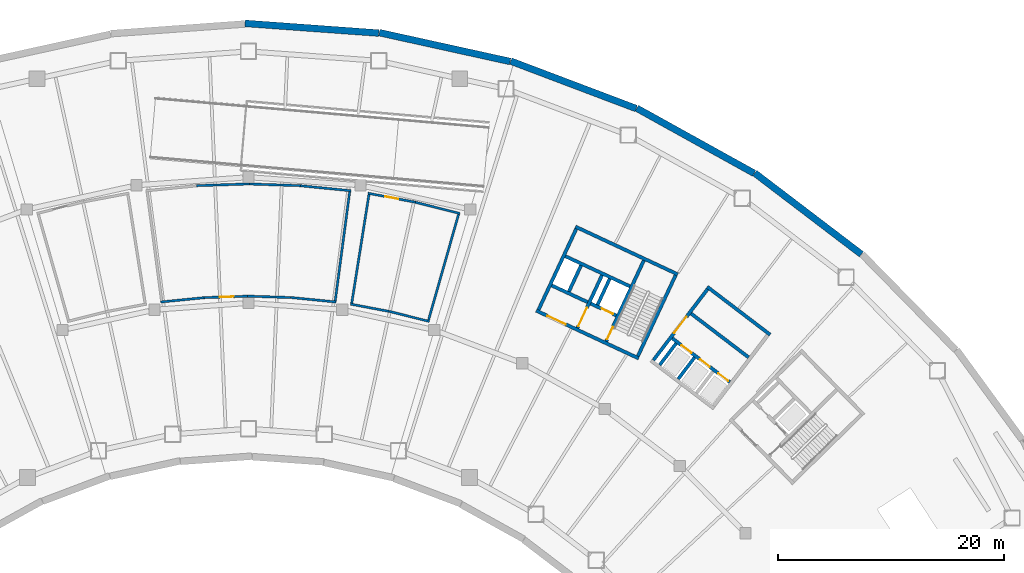
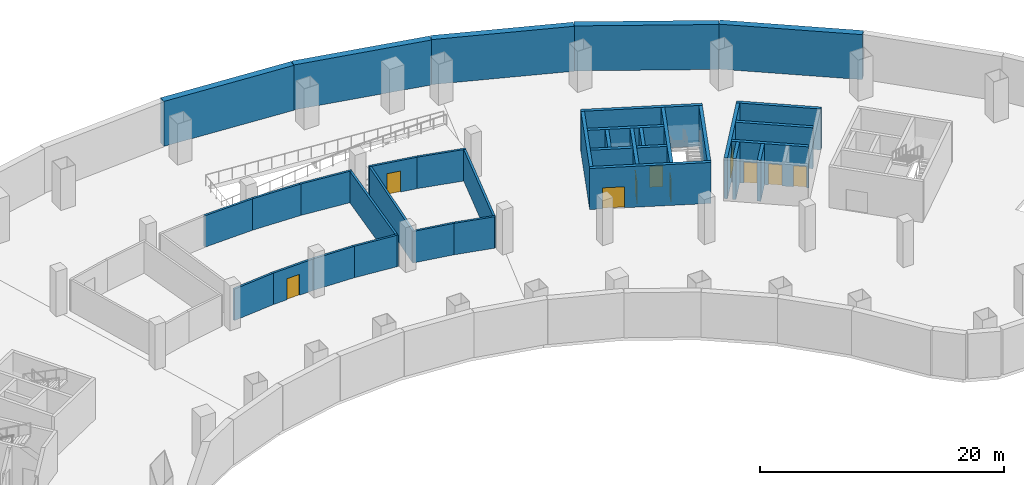
# One storey, part 7 of 11: 36 walls, 10 doors, 10 openings.
"""IFC4 building model written with IfcOpenShell, lengths in metres."""

import ifcopenshell
import ifcopenshell.guid

model = None  # the IFC model being written
_history = None  # IfcOwnerHistory: only IFC2X3 demands one
_inside = {}  # id of a spatial element -> (the spatial element, [elements in it])
_under = {}  # id of a project, library or spatial element -> (it, [spatial elements below it])
_declared = {}  # id of a project -> (the project, [libraries it declares])
_typed = {}  # id of a type object -> (the type object, [elements of that type])
_made_of = {}  # id of a material, layer set ... -> (it, [elements and type objects made of it])


def new_model(schema):
    """Start an empty IFC model of exactly this schema.

    Asked for "IFC4X3", IfcOpenShell would pick the latest addendum, in which some entities
    have other attributes; the version numbers below select the first issue.
    IFC2X3 requires an IfcOwnerHistory on every rooted entity: one is made here for all.
    """
    global model, _history
    if schema == "IFC4X3":
        model = ifcopenshell.file(schema_version=(4, 3, 0, 0))
    else:
        model = ifcopenshell.file(schema=schema)
    _inside.clear()
    _under.clear()
    _declared.clear()
    _typed.clear()
    _made_of.clear()
    _history = None
    if model.schema == "IFC2X3":
        org = make("IfcOrganization", Name="unknown")
        user = make(
            "IfcPersonAndOrganization",
            ThePerson=make("IfcPerson", FamilyName="unknown"),
            TheOrganization=org,
        )
        app = make(
            "IfcApplication",
            ApplicationDeveloper=org,
            Version="unknown",
            ApplicationFullName="unknown",
            ApplicationIdentifier="unknown",
        )
        _history = make(
            "IfcOwnerHistory",
            OwningUser=user,
            OwningApplication=app,
            ChangeAction="ADDED",
            CreationDate=0,
        )
    return model


def make(cls, **values):
    """One entity of the class cls with the attributes given. An attribute that is None is left unset."""
    return model.create_entity(
        cls, **{name: value for name, value in values.items() if value is not None}
    )


def rooted(cls, **values):
    """An entity with a GlobalId (a new one), such as an element, a storey or a relation."""
    return make(cls, GlobalId=ifcopenshell.guid.new(), OwnerHistory=_history, **values)


def si_unit(unit_type, name, prefix=None):
    """IfcSIUnit, for example si_unit("LENGTHUNIT", "METRE", prefix="MILLI")."""
    return make("IfcSIUnit", UnitType=unit_type, Prefix=prefix, Name=name)


def assignment(units):
    """IfcUnitAssignment: the units of a project."""
    return None if units is None else make("IfcUnitAssignment", Units=units)


def point(xyz):
    """IfcCartesianPoint."""
    return None if xyz is None else make("IfcCartesianPoint", Coordinates=xyz)


def direction(xyz):
    """IfcDirection."""
    return None if xyz is None else make("IfcDirection", DirectionRatios=xyz)


def frame(location, z_axis=None, x_axis=None):
    """IfcAxis2Placement3D, a coordinate frame: its origin and axes. An axis left out is left unset."""
    return make(
        "IfcAxis2Placement3D",
        Location=point(location),
        Axis=direction(z_axis),
        RefDirection=direction(x_axis),
    )


def frame_2d(location, x_axis=None):
    """IfcAxis2Placement2D, a coordinate frame in the plane: its origin and x axis."""
    return make(
        "IfcAxis2Placement2D", Location=point(location), RefDirection=direction(x_axis)
    )


def origin():
    """The frame at (0, 0, 0) with its axes left unset."""
    return frame((0.0, 0.0, 0.0))


def place(relative_to, where):
    """IfcLocalPlacement: puts the frame where relative to a parent placement (None: the world)."""
    return make(
        "IfcLocalPlacement", PlacementRelTo=relative_to, RelativePlacement=where
    )


def context(
    kind, dimensions, precision=None, world=None, true_north=None, identifier=None
):
    """IfcGeometricRepresentationContext, for example the 3D "Model" context."""
    return make(
        "IfcGeometricRepresentationContext",
        ContextIdentifier=identifier,
        ContextType=kind,
        CoordinateSpaceDimension=dimensions,
        Precision=precision,
        WorldCoordinateSystem=world,
        TrueNorth=true_north,
    )


def subcontext(parent, identifier, kind, view, scale=None):
    """IfcGeometricRepresentationSubContext, for example "Body" below "Model"."""
    return make(
        "IfcGeometricRepresentationSubContext",
        ContextIdentifier=identifier,
        ContextType=kind,
        ParentContext=parent,
        TargetScale=scale,
        TargetView=view,
    )


def project(units=None, contexts=None):
    """IfcProject with its units and contexts."""
    return rooted(
        "IfcProject",
        Name="project",
        RepresentationContexts=contexts,
        UnitsInContext=assignment(units),
    )


def spatial(cls, under=None, at=None, **own):
    """A site, building, storey or space (cls), placed at a placement, below another one or the project."""
    s = rooted(cls, ObjectPlacement=at, **own)
    if under is not None:
        _under.setdefault(under.id(), (under, []))[1].append(s)
    return s


def profile(cls, at=None, kind="AREA", **sizes):
    """A parametric profile (cls). Its sizes go by their IFC names, for example OverallWidth=200.0."""
    return make(cls, ProfileType=kind, Position=at, **sizes)


def rectangle(**sizes):
    """IfcRectangleProfileDef."""
    return profile("IfcRectangleProfileDef", **sizes)


def extrude(swept, where, along, depth):
    """IfcExtrudedAreaSolid: the profile swept, set in the frame where, extruded along a direction by depth."""
    return make(
        "IfcExtrudedAreaSolid",
        SweptArea=swept,
        Position=where,
        ExtrudedDirection=direction(along),
        Depth=depth,
    )


def shape(context_of_items, identifier, shape_type, items):
    """IfcShapeRepresentation: the items that make up one representation, for example the "Body"."""
    return make(
        "IfcShapeRepresentation",
        ContextOfItems=context_of_items,
        RepresentationIdentifier=identifier,
        RepresentationType=shape_type,
        Items=items,
    )


def material(Name=None, Category=None):
    """IfcMaterial."""
    return make("IfcMaterial", Name=Name, Category=Category)


def layer(
    of_material, thickness, ventilated=None, Name=None, Category=None, Priority=None
):
    """IfcMaterialLayer: one layer of a wall or slab, of a material (None: an air gap)."""
    return make(
        "IfcMaterialLayer",
        Material=of_material,
        LayerThickness=thickness,
        IsVentilated=ventilated,
        Name=Name,
        Category=Category,
        Priority=Priority,
    )


def layer_set(layers, Name=None):
    """IfcMaterialLayerSet."""
    return make("IfcMaterialLayerSet", MaterialLayers=layers, LayerSetName=Name)


def made_of(thing, what):
    """Note that an element or type object is made of a material, layer set ...; save() writes the relation."""
    if what is not None:
        _made_of.setdefault(what.id(), (what, []))[1].append(thing)
    return thing


def type_object(cls, material=None, **own):
    """A type object (cls), such as IfcWallType, which elements share."""
    return made_of(rooted(cls, **own), material)


def element(
    cls,
    number,
    at=None,
    inside=None,
    cuts=None,
    type_object=None,
    material=None,
    context=None,
    identifier="Body",
    shape_type=None,
    held_by="IfcProductDefinitionShape",
    body=None,
    shapes=None,
    **own,
):
    """One element of the class cls, such as IfcWall. Its Tag is "e" and its number.

    at: its placement. inside: the storey or other place that contains it. cuts: it is an
    opening in that element (IfcRelVoidsElement). A single representation is given by context,
    identifier, shape_type and body (its items); several are given by shapes. held_by: the class
    of the entity that holds the representations. save() writes the other relations.
    """
    e = rooted(cls, Tag="e%d" % number, ObjectPlacement=at, **own)
    if body is not None:
        shapes = [shape(context, identifier, shape_type, body)]
    if shapes is not None:
        e.Representation = make(held_by, Representations=shapes)
    if inside is not None:
        _inside.setdefault(inside.id(), (inside, []))[1].append(e)
    if cuts is not None:
        rooted(
            "IfcRelVoidsElement", RelatingBuildingElement=cuts, RelatedOpeningElement=e
        )
    if type_object is not None:
        _typed.setdefault(type_object.id(), (type_object, []))[1].append(e)
    return made_of(e, material)


def fill(opening, filler):
    """IfcRelFillsElement: the door or window that sits in an opening."""
    return rooted(
        "IfcRelFillsElement",
        RelatingOpeningElement=opening,
        RelatedBuildingElement=filler,
    )


def aggregate(whole, parts):
    """IfcRelAggregates: a whole, such as a stair, and the parts it consists of."""
    return rooted("IfcRelAggregates", RelatingObject=whole, RelatedObjects=parts)


def save(model, path):
    """Write the relations noted so far, then the file.

    IfcRelAggregates (storeys below a building ...), IfcRelContainedInSpatialStructure (elements
    in a storey), IfcRelDefinesByType, IfcRelAssociatesMaterial and IfcRelDeclares: one each for
    every whole, place, type object, material and project.
    """
    for whole, parts in _under.values():
        aggregate(whole, parts)
    for where, things in _inside.values():
        rooted(
            "IfcRelContainedInSpatialStructure",
            RelatedElements=things,
            RelatingStructure=where,
        )
    for kind, things in _typed.values():
        rooted("IfcRelDefinesByType", RelatedObjects=things, RelatingType=kind)
    for what, things in _made_of.values():
        rooted("IfcRelAssociatesMaterial", RelatedObjects=things, RelatingMaterial=what)
    for by, libraries in _declared.values():
        rooted("IfcRelDeclares", RelatingContext=by, RelatedDefinitions=libraries)
    model.write(path)


model = new_model("IFC4")

# Units and contexts
model_context = context("Model", 3, precision=1e-05, world=origin(), true_north=direction((0.0, 1.0)))
body_context = subcontext(model_context, "Body", "Model", "MODEL_VIEW")
ifc_project = project(units=[si_unit("LENGTHUNIT", "METRE"), si_unit("AREAUNIT", "SQUARE_METRE"), si_unit("VOLUMEUNIT", "CUBIC_METRE"), si_unit("PLANEANGLEUNIT", "RADIAN"), si_unit("MASSUNIT", "GRAM", prefix="KILO")], contexts=[model_context])

# Site, building, storey
site_placement = place(None, origin())
site = spatial("IfcSite", under=ifc_project, at=site_placement, CompositionType="ELEMENT")
building_placement = place(site_placement, origin())
building = spatial("IfcBuilding", under=site, at=building_placement, Name="Tuul Gate Civic Tower", CompositionType="ELEMENT")
storey_placement = place(building_placement, frame((0.0, 0.0, -4.5)))
storey = spatial("IfcBuildingStorey", under=building, at=storey_placement, Name="Basement 1", CompositionType="ELEMENT", Elevation=-4.5)

# Walls
ifc_material_1 = material(Name="Concrete block", Category="concrete")
ifc_layer_1 = layer(ifc_material_1, 0.199951171875)
ifc_layer_set_1 = layer_set([ifc_layer_1], Name="Concrete block")
wall_type_1 = type_object("IfcWallType", Name="Basement room wall EI 60", PredefinedType="PARTITIONING", material=ifc_layer_set_1)
for number, where, z_axis, x_axis, name in (
    (1, (-4.595458984375, 8.033447265625, 0.0), (0.0, 0.0, 1.0), (0.999455354855, 0.032999903823, 0.0), "Room wall"),
    (2, (-0.099853515625, 8.1884765625, 0.0), (0.0, 0.0, 1.0), (0.999455354855, -0.032999903823, 0.0), "Room wall"),
):
    element("IfcWall", number, at=place(storey_placement, frame(where, z_axis=z_axis, x_axis=x_axis)), inside=storey, type_object=wall_type_1, Name=name, PredefinedType="PARTITIONING", context=body_context, shape_type="SweptSolid", body=[
        extrude(rectangle(XDim=4.69775390625, YDim=0.199951171875, at=frame_2d((2.348876953125, 0.0))), origin(), (0.0, 0.0, 1.0), 3.14990234375),
    ])
wall_1_placement = place(storey_placement, frame((4.39599609375, 8.046630859375, 0.0), z_axis=(0.0, 0.0, 1.0), x_axis=(0.995108451583, -0.098788509398, 0.0)))
element("IfcWall", 3, at=wall_1_placement, inside=storey, type_object=wall_type_1, Name="Room wall", PredefinedType="PARTITIONING", context=body_context, shape_type="SweptSolid", body=[
    extrude(rectangle(XDim=4.697998046875, YDim=0.199951171875, at=frame_2d((2.34912109375, 0.0))), origin(), (0.0, 0.0, 1.0), 3.14990234375),
])
wall_2_placement = place(storey_placement, frame((8.984619140625, 7.69140625, 0.0), z_axis=(0.0, 0.0, 1.0), x_axis=(-0.131557421539, -0.991308551783, 0.0)))
element("IfcWall", 4, at=wall_2_placement, inside=storey, type_object=wall_type_1, Name="Room wall", PredefinedType="PARTITIONING", context=body_context, shape_type="SweptSolid", body=[
    extrude(rectangle(XDim=10.12890625, YDim=0.199951171875, at=frame_2d((5.064453125, 0.0))), origin(), (0.0, 0.0, 1.0), 3.14990234375),
])
for number, where, z_axis, x_axis, name in (
    (5, (7.7646484375, -2.260009765625, 0.0), (0.0, 0.0, 1.0), (-0.995108084218, 0.09879220983, 0.0), "Room wall"),
    (6, (3.94091796875, -1.873779296875, 0.0), (0.0, 0.0, 1.0), (-0.999456308533, 0.032971007459, 0.0), "Room wall"),
):
    element("IfcWall", number, at=place(storey_placement, frame(where, z_axis=z_axis, x_axis=x_axis)), inside=storey, type_object=wall_type_1, Name=name, PredefinedType="PARTITIONING", context=body_context, shape_type="SweptSolid", body=[
        extrude(rectangle(XDim=4.04296875, YDim=0.199951171875, at=frame_2d((2.021484375, 0.0))), origin(), (0.0, 0.0, 1.0), 3.14990234375),
    ])

# Wall, opening, door
wall_3_placement = place(storey_placement, frame((0.099853515625, -1.740478515625, 0.0), z_axis=(0.0, 0.0, 1.0), x_axis=(-0.999456308533, -0.032971007459, 0.0)))
wall_3 = element("IfcWall", 7, at=wall_3_placement, inside=storey, type_object=wall_type_1, Name="Room wall", PredefinedType="PARTITIONING", context=body_context, shape_type="SweptSolid", body=[
    extrude(rectangle(XDim=4.04296875, YDim=0.199951171875, at=frame_2d((2.021484375, 0.0))), origin(), (0.0, 0.0, 1.0), 3.14990234375),
])
opening_1_placement = place(wall_3_placement, frame((1.421630859375, 0.0, 0.0)))
opening_1 = element("IfcOpeningElement", 8, at=opening_1_placement, cuts=wall_3, Name="Opening PD", PredefinedType="OPENING", context=body_context, shape_type="SweptSolid", body=[
    extrude(rectangle(XDim=1.199951171875, YDim=2.10009765625, at=frame_2d((0.60009765625, 1.050048828125))), frame((0.0, 0.10986328125, 0.0), z_axis=(0.0, -1.0, 0.0), x_axis=(1.0, 0.0, 0.0)), (0.0, 0.0, 1.0), 0.219970703125),
])
ifc_material_2 = material(Name="Steel door", Category="steel")
door_type_1 = type_object("IfcDoorType", Name="Plant room door", OperationType="DOUBLE_DOOR_SINGLE_SWING", PredefinedType="DOOR", material=ifc_material_2)
door_1_placement = place(opening_1_placement, origin())
door_1 = element("IfcDoor", 9, at=door_1_placement, inside=storey, type_object=door_type_1, Name="Door", OperationType="DOUBLE_DOOR_SINGLE_SWING", OverallHeight=2.10009765625, OverallWidth=1.199951171875, PredefinedType="DOOR", context=body_context, shape_type="SweptSolid", body=[
    extrude(rectangle(XDim=1.199951171875, YDim=2.10009765625, at=frame_2d((0.60009765625, 1.050048828125))), frame((0.0, 0.02490234375, 0.0), z_axis=(0.0, -1.0, 0.0), x_axis=(1.0, 0.0, 0.0)), (0.0, 0.0, 1.0), 0.050048828125),
])
fill(opening_1, door_1)

# Wall
wall_4_placement = place(storey_placement, frame((-3.741455078125, -1.860595703125, 0.0), z_axis=(0.0, 0.0, 1.0), x_axis=(-0.995108084218, -0.09879220983, 0.0)))
element("IfcWall", 10, at=wall_4_placement, inside=storey, type_object=wall_type_1, Name="Room wall", PredefinedType="PARTITIONING", context=body_context, shape_type="SweptSolid", body=[
    extrude(rectangle(XDim=4.04296875, YDim=0.199951171875, at=frame_2d((2.021484375, 0.0))), origin(), (0.0, 0.0, 1.0), 3.14990234375),
])

# Wall, opening, door
wall_5_placement = place(storey_placement, frame((10.580810546875, 7.3623046875, 0.0), z_axis=(0.0, 0.0, 1.0), x_axis=(0.982546793853, -0.18601558507, 0.0)))
wall_5 = element("IfcWall", 11, at=wall_5_placement, inside=storey, type_object=wall_type_1, Name="Room wall", PredefinedType="PARTITIONING", context=body_context, shape_type="SweptSolid", body=[
    extrude(rectangle(XDim=4.266845703125, YDim=0.199951171875, at=frame_2d((2.13330078125, 0.0))), origin(), (0.0, 0.0, 1.0), 3.14990234375),
])
opening_2_placement = place(wall_5_placement, frame((1.533447265625, 0.0, 0.0)))
opening_2 = element("IfcOpeningElement", 12, at=opening_2_placement, cuts=wall_5, Name="Opening PD", PredefinedType="OPENING", context=body_context, shape_type="SweptSolid", body=[
    extrude(rectangle(XDim=1.199951171875, YDim=2.10009765625, at=frame_2d((0.60009765625, 1.050048828125))), frame((0.0, 0.10986328125, 0.0), z_axis=(0.0, -1.0, 0.0), x_axis=(1.0, 0.0, 0.0)), (0.0, 0.0, 1.0), 0.219970703125),
])
door_2_placement = place(opening_2_placement, origin())
door_2 = element("IfcDoor", 13, at=door_2_placement, inside=storey, type_object=door_type_1, Name="Door", OperationType="DOUBLE_DOOR_SINGLE_SWING", OverallHeight=2.10009765625, OverallWidth=1.199951171875, PredefinedType="DOOR", context=body_context, shape_type="SweptSolid", body=[
    extrude(rectangle(XDim=1.199951171875, YDim=2.10009765625, at=frame_2d((0.60009765625, 1.050048828125))), frame((0.0, 0.02490234375, 0.0), z_axis=(0.0, -1.0, 0.0), x_axis=(1.0, 0.0, 0.0)), (0.0, 0.0, 1.0), 0.050048828125),
])
fill(opening_2, door_2)

# Walls
wall_6_placement = place(storey_placement, frame((14.578125, 6.61181640625, 0.0), z_axis=(0.0, 0.0, 1.0), x_axis=(0.969706746941, -0.244272030607, 0.0)))
element("IfcWall", 14, at=wall_6_placement, inside=storey, type_object=wall_type_1, Name="Room wall", PredefinedType="PARTITIONING", context=body_context, shape_type="SweptSolid", body=[
    extrude(rectangle(XDim=4.2666015625, YDim=0.199951171875, at=frame_2d((2.13330078125, 0.0))), origin(), (0.0, 0.0, 1.0), 3.14990234375),
])
wall_7_placement = place(storey_placement, frame((18.64599609375, 5.690185546875, 0.0), z_axis=(0.0, 0.0, 1.0), x_axis=(-0.273062164325, -0.961996390021, 0.0)))
element("IfcWall", 15, at=wall_7_placement, inside=storey, type_object=wall_type_1, Name="Room wall", PredefinedType="PARTITIONING", context=body_context, shape_type="SweptSolid", body=[
    extrude(rectangle(XDim=10.129150390625, YDim=0.199951171875, at=frame_2d((5.064453125, 0.0))), origin(), (0.0, 0.0, 1.0), 3.14990234375),
])
for number, where, z_axis, x_axis, name in (
    (16, (16.00439453125, -3.982177734375, 0.0), (0.0, 0.0, 1.0), (-0.969699257813, 0.244301758889, 0.0), "Room wall"),
    (17, (12.63623046875, -3.127685546875, 0.0), (0.0, 0.0, 1.0), (-0.982542683543, 0.186037294693, 0.0), "Room wall"),
):
    element("IfcWall", number, at=place(storey_placement, frame(where, z_axis=z_axis, x_axis=x_axis)), inside=storey, type_object=wall_type_1, Name=name, PredefinedType="PARTITIONING", context=body_context, shape_type="SweptSolid", body=[
        extrude(rectangle(XDim=3.674560546875, YDim=0.199951171875, at=frame_2d((1.83740234375, 0.0))), origin(), (0.0, 0.0, 1.0), 3.14990234375),
    ])
wall_8_placement = place(storey_placement, frame((9.1083984375, -2.5615234375, 0.0), z_axis=(0.0, 0.0, 1.0), x_axis=(0.156623491175, 0.987658383254, 0.0)))
element("IfcWall", 18, at=wall_8_placement, inside=storey, type_object=wall_type_1, Name="Room wall", PredefinedType="PARTITIONING", context=body_context, shape_type="SweptSolid", body=[
    extrude(rectangle(XDim=10.12890625, YDim=0.199951171875, at=frame_2d((5.064453125, 0.0))), origin(), (0.0, 0.0, 1.0), 3.14990234375),
])

# Wall, opening, door
ifc_material_3 = material(Name="Concrete C50/60", Category="concrete")
ifc_layer_2 = layer(ifc_material_3, 0.300048828125)
ifc_layer_set_2 = layer_set([ifc_layer_2], Name="Concrete C50/60")
wall_type_2 = type_object("IfcWallType", Name="Core wall C50/60", PredefinedType="SHEAR", material=ifc_layer_set_2)
wall_9_placement = place(storey_placement, frame((34.5283203125, -7.25, 0.0), z_axis=(0.0, 0.0, 1.0), x_axis=(-0.906310338845, 0.422612789327, 0.0)))
wall_9 = element("IfcWall", 19, at=wall_9_placement, inside=storey, type_object=wall_type_2, Name="Core wall", PredefinedType="SHEAR", context=body_context, shape_type="SweptSolid", body=[
    extrude(rectangle(XDim=9.999755859375, YDim=0.300048828125, at=frame_2d((5.0, 0.0))), origin(), (0.0, 0.0, 1.0), 4.10009765625),
])
opening_3_placement = place(wall_9_placement, frame((7.125, 0.0, 0.0)))
opening_3 = element("IfcOpeningElement", 20, at=opening_3_placement, cuts=wall_9, Name="Opening LB-E3-LOBBY-1", PredefinedType="OPENING", context=body_context, shape_type="SweptSolid", body=[
    extrude(rectangle(XDim=1.800048828125, YDim=2.10009765625, at=frame_2d((0.89990234375, 1.050048828125))), frame((0.0, 0.16015625, 0.0), z_axis=(0.0, -1.0, 0.0), x_axis=(1.0, 0.0, 0.0)), (0.0, 0.0, 1.0), 0.320068359375),
])
ifc_material_4 = material(Name="Steel", Category="steel")
door_type_2 = type_object("IfcDoorType", Name="Lobby door", OperationType="DOUBLE_DOOR_SINGLE_SWING", PredefinedType="DOOR", material=ifc_material_4)
door_3_placement = place(opening_3_placement, origin())
door_3 = element("IfcDoor", 21, at=door_3_placement, inside=storey, type_object=door_type_2, Name="Lobby door E3-LOBBY", OperationType="DOUBLE_DOOR_SINGLE_SWING", OverallHeight=2.10009765625, OverallWidth=1.800048828125, PredefinedType="DOOR", context=body_context, shape_type="SweptSolid", body=[
    extrude(rectangle(XDim=1.800048828125, YDim=2.10009765625, at=frame_2d((0.89990234375, 1.050048828125))), frame((0.0, 0.02490234375, 0.0), z_axis=(0.0, -1.0, 0.0), x_axis=(1.0, 0.0, 0.0)), (0.0, 0.0, 1.0), 0.050048828125),
])
fill(opening_3, door_3)

wall_10_placement = place(storey_placement, frame((32.545654296875, -3.456787109375, 0.0), z_axis=(0.0, 0.0, 1.0), x_axis=(-0.906300357825, 0.42263419337, 0.0)))
wall_10 = element("IfcWall", 22, at=wall_10_placement, inside=storey, type_object=wall_type_2, Name="Core wall", PredefinedType="SHEAR", context=body_context, shape_type="SweptSolid", body=[
    extrude(rectangle(XDim=2.500244140625, YDim=0.300048828125, at=frame_2d((1.25, 0.0))), origin(), (0.0, 0.0, 1.0), 4.10009765625),
])
opening_4_placement = place(wall_10_placement, frame((0.324951171875, 0.0, 0.0)))
opening_4 = element("IfcOpeningElement", 23, at=opening_4_placement, cuts=wall_10, Name="Opening LD-FF-2", PredefinedType="OPENING", context=body_context, shape_type="SweptSolid", body=[
    extrude(rectangle(XDim=1.10009765625, YDim=2.10009765625, at=frame_2d((0.550048828125, 1.050048828125))), frame((0.0, 0.16015625, 0.0), z_axis=(0.0, -1.0, 0.0), x_axis=(1.0, 0.0, 0.0)), (0.0, 0.0, 1.0), 0.320068359375),
])
ifc_material_5 = material(Name="Stainless steel", Category="steel")
door_type_3 = type_object("IfcDoorType", Name="Landing door", OperationType="DOUBLE_DOOR_SLIDING", PredefinedType="DOOR", material=ifc_material_5)
door_4_placement = place(opening_4_placement, origin())
door_4 = element("IfcDoor", 24, at=door_4_placement, inside=storey, type_object=door_type_3, Name="Fire-fighting lift FF-2 landing door", OperationType="DOUBLE_DOOR_SLIDING", OverallHeight=2.10009765625, OverallWidth=1.10009765625, PredefinedType="DOOR", context=body_context, shape_type="SweptSolid", body=[
    extrude(rectangle(XDim=1.10009765625, YDim=2.10009765625, at=frame_2d((0.550048828125, 1.050048828125))), frame((0.0, 0.02490234375, 0.0), z_axis=(0.0, -1.0, 0.0), x_axis=(1.0, 0.0, 0.0)), (0.0, 0.0, 1.0), 0.050048828125),
])
fill(opening_4, door_4)

# Walls
wall_11_placement = place(storey_placement, frame((30.0078125, -2.2734375, 0.0), z_axis=(0.0, 0.0, 1.0), x_axis=(-0.90630071767, 0.422633421716, 0.0)))
element("IfcWall", 25, at=wall_11_placement, inside=storey, type_object=wall_type_2, Name="Core wall", PredefinedType="SHEAR", context=body_context, shape_type="SweptSolid", body=[
    extrude(rectangle(XDim=3.5, YDim=0.300048828125, at=frame_2d((1.75, 0.0))), origin(), (0.0, 0.0, 1.0), 4.10009765625),
])
wall_12_placement = place(storey_placement, frame((33.75, -0.873779296875, 0.0), z_axis=(0.0, 0.0, 1.0), x_axis=(-0.906300917592, 0.422632992999, 0.0)))
element("IfcWall", 26, at=wall_12_placement, inside=storey, type_object=wall_type_2, Name="Core wall", PredefinedType="SHEAR", context=body_context, shape_type="SweptSolid", body=[
    extrude(rectangle(XDim=6.300048828125, YDim=0.300048828125, at=frame_2d((3.14990234375, 0.0))), origin(), (0.0, 0.0, 1.0), 4.10009765625),
])
wall_13_placement = place(storey_placement, frame((37.993408203125, 0.181884765625, 0.0), z_axis=(0.0, 0.0, 1.0), x_axis=(-0.906310338845, 0.422612789327, 0.0)))
element("IfcWall", 27, at=wall_13_placement, inside=storey, type_object=wall_type_2, Name="Core wall", PredefinedType="SHEAR", context=body_context, shape_type="SweptSolid", body=[
    extrude(rectangle(XDim=9.999755859375, YDim=0.300048828125, at=frame_2d((5.0, 0.0))), origin(), (0.0, 0.0, 1.0), 4.10009765625),
])
wall_14_placement = place(storey_placement, frame((34.455810546875, -7.05078125, 0.0), z_axis=(0.0, 0.0, 1.0), x_axis=(0.422570768258, 0.906329932096, 0.0)))
element("IfcWall", 28, at=wall_14_placement, inside=storey, type_object=wall_type_2, Name="Core wall", PredefinedType="SHEAR", context=body_context, shape_type="SweptSolid", body=[
    extrude(rectangle(XDim=7.900146484375, YDim=0.300048828125, at=frame_2d((3.9501953125, 0.0))), origin(), (0.0, 0.0, 1.0), 4.10009765625),
])

# Wall, opening, door
wall_15_placement = place(storey_placement, frame((31.646240234375, -5.740478515625, 0.0), z_axis=(0.0, 0.0, 1.0), x_axis=(0.422582604137, 0.906324413596, 0.0)))
wall_15 = element("IfcWall", 29, at=wall_15_placement, inside=storey, type_object=wall_type_2, Name="Core wall", PredefinedType="SHEAR", context=body_context, shape_type="SweptSolid", body=[
    extrude(rectangle(XDim=7.89990234375, YDim=0.300048828125, at=frame_2d((3.949951171875, 0.0))), origin(), (0.0, 0.0, 1.0), 4.10009765625),
])
opening_5_placement = place(wall_15_placement, frame((0.199951171875, 0.0, 0.0)))
opening_5 = element("IfcOpeningElement", 30, at=opening_5_placement, cuts=wall_15, Name="Opening SD-ST-4", PredefinedType="OPENING", context=body_context, shape_type="SweptSolid", body=[
    extrude(rectangle(XDim=1.199951171875, YDim=2.10009765625, at=frame_2d((0.60009765625, 1.050048828125))), frame((0.0, 0.16015625, 0.0), z_axis=(0.0, -1.0, 0.0), x_axis=(1.0, 0.0, 0.0)), (0.0, 0.0, 1.0), 0.320068359375),
])
ifc_material_6 = material(Name="Steel", Category="steel")
door_type_4 = type_object("IfcDoorType", Name="Stair door", OperationType="NOTDEFINED", PredefinedType="DOOR", material=ifc_material_6)
door_5_placement = place(opening_5_placement, origin())
door_5 = element("IfcDoor", 31, at=door_5_placement, inside=storey, type_object=door_type_4, Name="Stair door ST-4", OperationType="SINGLE_SWING_LEFT", OverallHeight=2.10009765625, OverallWidth=1.199951171875, PredefinedType="DOOR", context=body_context, shape_type="SweptSolid", body=[
    extrude(rectangle(XDim=1.199951171875, YDim=2.10009765625, at=frame_2d((0.60009765625, 1.050048828125))), frame((0.0, 0.02490234375, 0.0), z_axis=(0.0, -1.0, 0.0), x_axis=(1.0, 0.0, 0.0)), (0.0, 0.0, 1.0), 0.050048828125),
])
fill(opening_5, door_5)

# Wall
wall_16_placement = place(storey_placement, frame((30.886962890625, -2.517822265625, 0.0), z_axis=(0.0, 0.0, 1.0), x_axis=(0.422612891016, 0.906310291427, 0.0)))
element("IfcWall", 32, at=wall_16_placement, inside=storey, type_object=wall_type_2, Name="Core wall", PredefinedType="SHEAR", context=body_context, shape_type="SweptSolid", body=[
    extrude(rectangle(XDim=2.550048828125, YDim=0.300048828125, at=frame_2d((1.27490234375, 0.0))), origin(), (0.0, 0.0, 1.0), 4.10009765625),
])

# Wall, opening, door
wall_17_placement = place(storey_placement, frame((29.108642578125, -4.557373046875, 0.0), z_axis=(0.0, 0.0, 1.0), x_axis=(0.422566235356, 0.90633204552, 0.0)))
wall_17 = element("IfcWall", 33, at=wall_17_placement, inside=storey, type_object=wall_type_2, Name="Core wall", PredefinedType="SHEAR", context=body_context, shape_type="SweptSolid", body=[
    extrude(rectangle(XDim=5.150146484375, YDim=0.300048828125, at=frame_2d((2.5751953125, 0.0))), origin(), (0.0, 0.0, 1.0), 4.10009765625),
])
opening_6_placement = place(wall_17_placement, frame((0.175048828125, 0.0, 0.0)))
opening_6 = element("IfcOpeningElement", 34, at=opening_6_placement, cuts=wall_17, Name="Opening LB-E3-FLOBBY-1", PredefinedType="OPENING", context=body_context, shape_type="SweptSolid", body=[
    extrude(rectangle(XDim=1.800048828125, YDim=2.10009765625, at=frame_2d((0.89990234375, 1.050048828125))), frame((0.0, 0.16015625, 0.0), z_axis=(0.0, -1.0, 0.0), x_axis=(1.0, 0.0, 0.0)), (0.0, 0.0, 1.0), 0.320068359375),
])
door_6_placement = place(opening_6_placement, frame((1.800048828125, 0.0, 0.0), z_axis=(0.0, 0.0, 1.0), x_axis=(-1.0, 0.0, 0.0)))
door_6 = element("IfcDoor", 35, at=door_6_placement, inside=storey, type_object=door_type_2, Name="Lobby door E3-FLOBBY", OperationType="DOUBLE_DOOR_SINGLE_SWING", OverallHeight=2.10009765625, OverallWidth=1.800048828125, PredefinedType="DOOR", context=body_context, shape_type="SweptSolid", body=[
    extrude(rectangle(XDim=1.800048828125, YDim=2.10009765625, at=frame_2d((0.900146484375, 1.050048828125))), frame((0.0, 0.02490234375, 0.0), z_axis=(0.0, -1.0, 0.0), x_axis=(1.0, 0.0, 0.0)), (0.0, 0.0, 1.0), 0.050048828125),
])
fill(opening_6, door_6)

# Walls
wall_18_placement = place(storey_placement, frame((28.349365234375, -1.33447265625, 0.0), z_axis=(0.0, 0.0, 1.0), x_axis=(0.422612891016, 0.906310291427, 0.0)))
element("IfcWall", 36, at=wall_18_placement, inside=storey, type_object=wall_type_2, Name="Core wall", PredefinedType="SHEAR", context=body_context, shape_type="SweptSolid", body=[
    extrude(rectangle(XDim=2.550048828125, YDim=0.300048828125, at=frame_2d((1.27490234375, 0.0))), origin(), (0.0, 0.0, 1.0), 4.10009765625),
])
wall_19_placement = place(storey_placement, frame((25.66455078125, -2.951416015625, 0.0), z_axis=(0.0, 0.0, 1.0), x_axis=(0.422582604137, 0.906324413596, 0.0)))
element("IfcWall", 37, at=wall_19_placement, inside=storey, type_object=wall_type_2, Name="Core wall", PredefinedType="SHEAR", context=body_context, shape_type="SweptSolid", body=[
    extrude(rectangle(XDim=7.89990234375, YDim=0.300048828125, at=frame_2d((3.949951171875, 0.0))), origin(), (0.0, 0.0, 1.0), 4.10009765625),
])

# Wall, openings, doors
ifc_material_7 = material(Name="Concrete C40/50", Category="concrete")
ifc_layer_3 = layer(ifc_material_7, 0.300048828125)
ifc_layer_set_3 = layer_set([ifc_layer_3], Name="Concrete C40/50")
wall_type_3 = type_object("IfcWallType", Name="Lift shaft wall C40/50", PredefinedType="STANDARD", material=ifc_layer_set_3)
wall_20_placement = place(storey_placement, frame((42.5888671875, -9.34765625, 0.0), z_axis=(0.0, 0.0, 1.0), x_axis=(-0.795584062101, 0.605843214149, 0.0)))
wall_20 = element("IfcWall", 38, at=wall_20_placement, inside=storey, type_object=wall_type_3, Name="Shaft wall", PredefinedType="STANDARD", context=body_context, shape_type="SweptSolid", body=[
    extrude(rectangle(XDim=6.400146484375, YDim=0.300048828125, at=frame_2d((3.2001953125, 0.0))), origin(), (0.0, 0.0, 1.0), 4.10009765625),
])
opening_7_placement = place(wall_20_placement, frame((0.175048828125, 0.0, 0.0)))
opening_7 = element("IfcOpeningElement", 39, at=opening_7_placement, cuts=wall_20, Name="Opening LD-L1", PredefinedType="OPENING", context=body_context, shape_type="SweptSolid", body=[
    extrude(rectangle(XDim=1.10009765625, YDim=2.10009765625, at=frame_2d((0.550048828125, 1.050048828125))), frame((0.0, 0.16015625, 0.0), z_axis=(0.0, -1.0, 0.0), x_axis=(1.0, 0.0, 0.0)), (0.0, 0.0, 1.0), 0.320068359375),
])
opening_8_placement = place(wall_20_placement, frame((2.22509765625, 0.0, 0.0)))
opening_8 = element("IfcOpeningElement", 40, at=opening_8_placement, cuts=wall_20, Name="Opening LD-L2", PredefinedType="OPENING", context=body_context, shape_type="SweptSolid", body=[
    extrude(rectangle(XDim=1.10009765625, YDim=2.10009765625, at=frame_2d((0.550048828125, 1.050048828125))), frame((0.0, 0.16015625, 0.0), z_axis=(0.0, -1.0, 0.0), x_axis=(1.0, 0.0, 0.0)), (0.0, 0.0, 1.0), 0.320068359375),
])
opening_9_placement = place(wall_20_placement, frame((4.27490234375, 0.0, 0.0)))
opening_9 = element("IfcOpeningElement", 41, at=opening_9_placement, cuts=wall_20, Name="Opening LD-L3", PredefinedType="OPENING", context=body_context, shape_type="SweptSolid", body=[
    extrude(rectangle(XDim=1.10009765625, YDim=2.10009765625, at=frame_2d((0.550048828125, 1.050048828125))), frame((0.0, 0.16015625, 0.0), z_axis=(0.0, -1.0, 0.0), x_axis=(1.0, 0.0, 0.0)), (0.0, 0.0, 1.0), 0.320068359375),
])
door_7_placement = place(opening_7_placement, origin())
door_7 = element("IfcDoor", 42, at=door_7_placement, inside=storey, type_object=door_type_3, Name="Low-rise lift L1 landing door", OperationType="DOUBLE_DOOR_SLIDING", OverallHeight=2.10009765625, OverallWidth=1.10009765625, PredefinedType="DOOR", context=body_context, shape_type="SweptSolid", body=[
    extrude(rectangle(XDim=1.10009765625, YDim=2.10009765625, at=frame_2d((0.550048828125, 1.050048828125))), frame((0.0, 0.02490234375, 0.0), z_axis=(0.0, -1.0, 0.0), x_axis=(1.0, 0.0, 0.0)), (0.0, 0.0, 1.0), 0.050048828125),
])
fill(opening_7, door_7)
door_8_placement = place(opening_8_placement, origin())
door_8 = element("IfcDoor", 43, at=door_8_placement, inside=storey, type_object=door_type_3, Name="Low-rise lift L2 landing door", OperationType="DOUBLE_DOOR_SLIDING", OverallHeight=2.10009765625, OverallWidth=1.10009765625, PredefinedType="DOOR", context=body_context, shape_type="SweptSolid", body=[
    extrude(rectangle(XDim=1.10009765625, YDim=2.10009765625, at=frame_2d((0.550048828125, 1.050048828125))), frame((0.0, 0.02490234375, 0.0), z_axis=(0.0, -1.0, 0.0), x_axis=(1.0, 0.0, 0.0)), (0.0, 0.0, 1.0), 0.050048828125),
])
fill(opening_8, door_8)
door_9_placement = place(opening_9_placement, origin())
door_9 = element("IfcDoor", 44, at=door_9_placement, inside=storey, type_object=door_type_3, Name="Low-rise lift L3 landing door", OperationType="DOUBLE_DOOR_SLIDING", OverallHeight=2.10009765625, OverallWidth=1.10009765625, PredefinedType="DOOR", context=body_context, shape_type="SweptSolid", body=[
    extrude(rectangle(XDim=1.10009765625, YDim=2.10009765625, at=frame_2d((0.550048828125, 1.050048828125))), frame((0.0, 0.02490234375, 0.0), z_axis=(0.0, -1.0, 0.0), x_axis=(1.0, 0.0, 0.0)), (0.0, 0.0, 1.0), 0.050048828125),
])
fill(opening_9, door_9)

# Walls
wall_21_placement = place(storey_placement, frame((44.254638671875, -7.15966796875, 0.0), z_axis=(0.0, 0.0, 1.0), x_axis=(-0.795565675562, 0.605867358312, 0.0)))
element("IfcWall", 45, at=wall_21_placement, inside=storey, type_object=wall_type_3, Name="Shaft wall", PredefinedType="STANDARD", context=body_context, shape_type="SweptSolid", body=[
    extrude(rectangle(XDim=6.400146484375, YDim=0.300048828125, at=frame_2d((3.2001953125, 0.0))), origin(), (0.0, 0.0, 1.0), 4.10009765625),
])
wall_22_placement = place(storey_placement, frame((46.1591796875, -5.1533203125, 0.0), z_axis=(0.0, 0.0, 1.0), x_axis=(-0.795579811045, 0.605848796531, 0.0)))
element("IfcWall", 46, at=wall_22_placement, inside=storey, type_object=wall_type_3, Name="Shaft wall", PredefinedType="STANDARD", context=body_context, shape_type="SweptSolid", body=[
    extrude(rectangle(XDim=7.0, YDim=0.300048828125, at=frame_2d((3.5, 0.0))), origin(), (0.0, 0.0, 1.0), 4.10009765625),
])
wall_23_placement = place(storey_placement, frame((38.02099609375, -9.07421875, 0.0), z_axis=(0.0, 0.0, 1.0), x_axis=(0.605730519254, 0.795669867498, 0.0)))
element("IfcWall", 47, at=wall_23_placement, inside=storey, type_object=wall_type_3, Name="Shaft wall", PredefinedType="STANDARD", context=body_context, shape_type="SweptSolid", body=[
    extrude(rectangle(XDim=2.399658203125, YDim=0.300048828125, at=frame_2d((1.19970703125, 0.0))), origin(), (0.0, 0.0, 1.0), 4.10009765625),
])
wall_24_placement = place(storey_placement, frame((36.389892578125, -7.832275390625, 0.0), z_axis=(0.0, 0.0, 1.0), x_axis=(0.605745892068, 0.79565816419, 0.0)))
element("IfcWall", 48, at=wall_24_placement, inside=storey, type_object=wall_type_3, Name="Shaft wall", PredefinedType="STANDARD", context=body_context, shape_type="SweptSolid", body=[
    extrude(rectangle(XDim=2.400146484375, YDim=0.300048828125, at=frame_2d((1.2001953125, 0.0))), origin(), (0.0, 0.0, 1.0), 4.10009765625),
])

# Wall, opening, door
wall_25_placement = place(storey_placement, frame((35.8330078125, -7.408203125, 0.0), z_axis=(0.0, 0.0, 1.0), x_axis=(0.605769437763, 0.795640237967, 0.0)))
wall_25 = element("IfcWall", 49, at=wall_25_placement, inside=storey, type_object=wall_type_3, Name="Shaft wall", PredefinedType="STANDARD", context=body_context, shape_type="SweptSolid", body=[
    extrude(rectangle(XDim=7.900146484375, YDim=0.300048828125, at=frame_2d((3.9501953125, 0.0))), origin(), (0.0, 0.0, 1.0), 4.10009765625),
])
opening_10_placement = place(wall_25_placement, frame((3.02490234375, 0.0, 0.0)))
opening_10 = element("IfcOpeningElement", 50, at=opening_10_placement, cuts=wall_25, Name="Opening LB-E2-LOBBY-1", PredefinedType="OPENING", context=body_context, shape_type="SweptSolid", body=[
    extrude(rectangle(XDim=1.800048828125, YDim=2.10009765625, at=frame_2d((0.89990234375, 1.050048828125))), frame((0.0, 0.16015625, 0.0), z_axis=(0.0, -1.0, 0.0), x_axis=(1.0, 0.0, 0.0)), (0.0, 0.0, 1.0), 0.320068359375),
])
door_10_placement = place(opening_10_placement, origin())
door_10 = element("IfcDoor", 51, at=door_10_placement, inside=storey, type_object=door_type_2, Name="Lobby door E2-LOBBY", OperationType="DOUBLE_DOOR_SINGLE_SWING", OverallHeight=2.10009765625, OverallWidth=1.800048828125, PredefinedType="DOOR", context=body_context, shape_type="SweptSolid", body=[
    extrude(rectangle(XDim=1.800048828125, YDim=2.10009765625, at=frame_2d((0.89990234375, 1.050048828125))), frame((0.0, 0.02490234375, 0.0), z_axis=(0.0, -1.0, 0.0), x_axis=(1.0, 0.0, 0.0)), (0.0, 0.0, 1.0), 0.050048828125),
])
fill(opening_10, door_10)

# Walls
ifc_material_8 = material(Name="Concrete C40/50", Category="concrete")
ifc_layer_4 = layer(ifc_material_8, 0.60009765625)
ifc_layer_set_4 = layer_set([ifc_layer_4], Name="Concrete C40/50")
wall_type_4 = type_object("IfcWallType", Name="STR-BASEMENT-WALL-600", PredefinedType="SOLIDWALL", material=ifc_layer_set_4)
for number, where, z_axis, x_axis, name in (
    (52, (54.231201171875, 1.966796875, 0.0), (0.0, 0.0, 1.0), (-0.795598970655, 0.605823635964, 0.0), "Retaining wall"),
    (53, (44.7353515625, 9.135498046875, 0.0), (0.0, 0.0, 1.0), (-0.874610355662, 0.484826490375, 0.0), "Retaining wall"),
):
    element("IfcWall", number, at=place(storey_placement, frame(where, z_axis=z_axis, x_axis=x_axis)), inside=storey, type_object=wall_type_4, Name=name, PredefinedType="SOLIDWALL", context=body_context, shape_type="SweptSolid", body=[
        extrude(rectangle(XDim=11.85986328125, YDim=0.60009765625, at=frame_2d((5.929931640625, 0.0))), origin(), (0.0, 0.0, 1.0), 4.5),
    ])
wall_26_placement = place(storey_placement, frame((34.305419921875, 14.86083984375, 0.0), z_axis=(0.0, 0.0, 1.0), x_axis=(-0.935370574705, 0.353669178719, 0.0)))
element("IfcWall", 54, at=wall_26_placement, inside=storey, type_object=wall_type_4, Name="Retaining wall", PredefinedType="SOLIDWALL", context=body_context, shape_type="SweptSolid", body=[
    extrude(rectangle(XDim=11.859375, YDim=0.60009765625, at=frame_2d((5.9296875, 0.0))), origin(), (0.0, 0.0, 1.0), 4.5),
])
wall_27_placement = place(storey_placement, frame((23.159423828125, 19.0224609375, 0.0), z_axis=(0.0, 0.0, 1.0), x_axis=(-0.976553755783, 0.215273691068, 0.0)))
element("IfcWall", 55, at=wall_27_placement, inside=storey, type_object=wall_type_4, Name="Retaining wall", PredefinedType="SOLIDWALL", context=body_context, shape_type="SweptSolid", body=[
    extrude(rectangle(XDim=11.8603515625, YDim=0.60009765625, at=frame_2d((5.93017578125, 0.0))), origin(), (0.0, 0.0, 1.0), 4.5),
])
wall_28_placement = place(storey_placement, frame((11.529296875, 21.53564453125, 0.0), z_axis=(0.0, 0.0, 1.0), x_axis=(-0.997386086205, 0.072256453304, 0.0)))
element("IfcWall", 56, at=wall_28_placement, inside=storey, type_object=wall_type_4, Name="Retaining wall", PredefinedType="SOLIDWALL", context=body_context, shape_type="SweptSolid", body=[
    extrude(rectangle(XDim=11.859619140625, YDim=0.60009765625, at=frame_2d((5.9296875, 0.0))), origin(), (0.0, 0.0, 1.0), 4.5),
])

save(model, "model.ifc")
